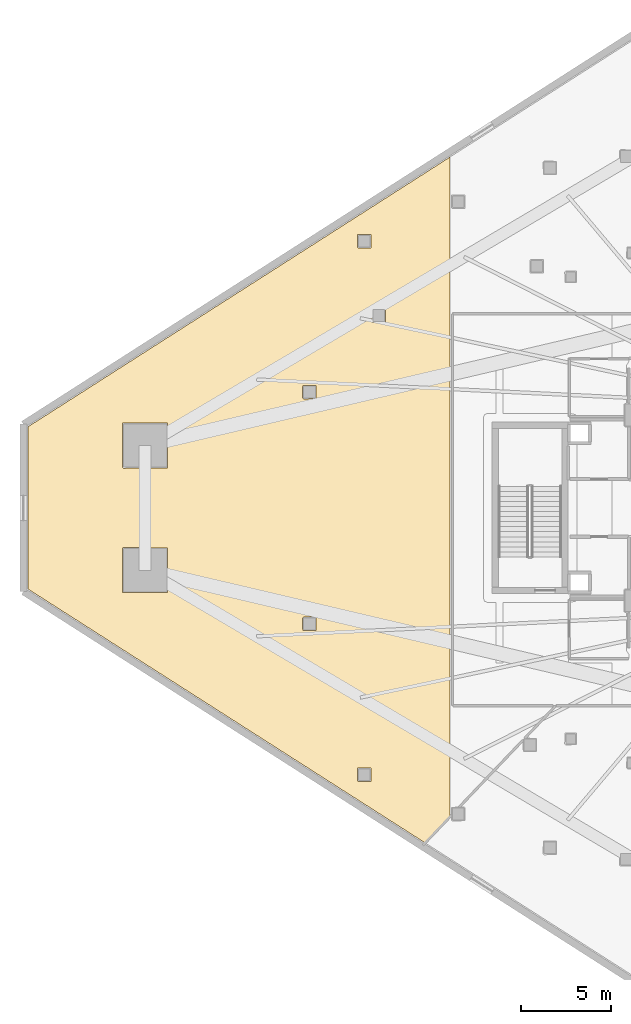
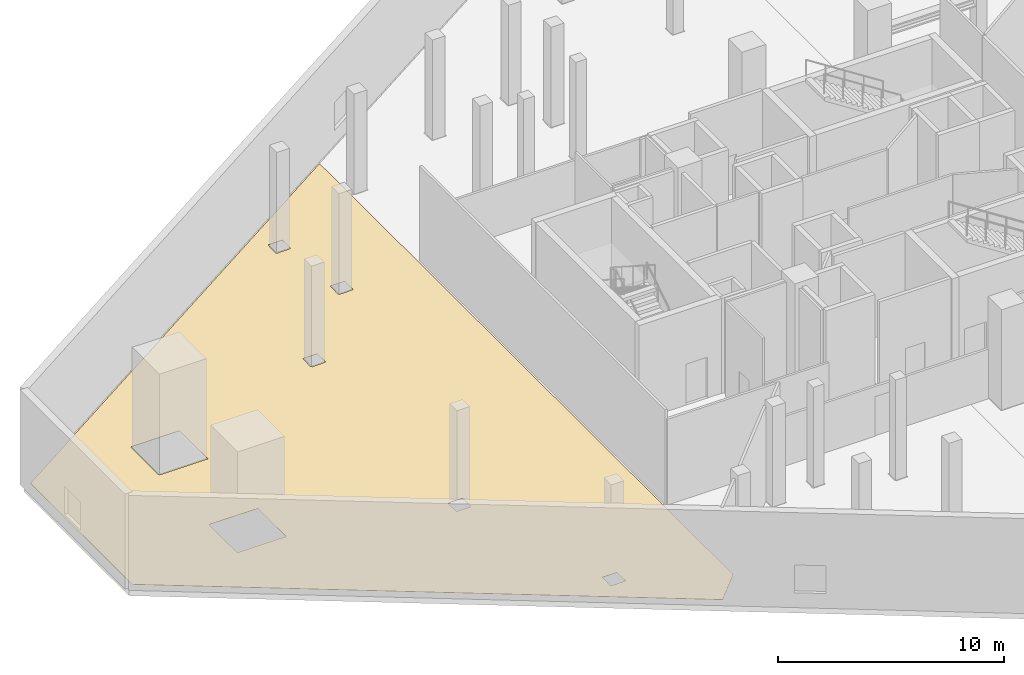
# One storey, part 32 of 36: 1 covering.
"""IFC4 building model written with IfcOpenShell, lengths in metres."""

from ifc_helpers import new_model, si_unit, direction, frame, origin, place, context, subcontext, project, spatial, polyline, outline, extrude, material, layer, layer_set, type_object, element, save


model = new_model("IFC4")

# Units and contexts
model_context = context("Model", 3, precision=1e-05, world=origin(), true_north=direction((0.0, 1.0)))
body_context = subcontext(model_context, "Body", "Model", "MODEL_VIEW")
ifc_project = project(units=[si_unit("LENGTHUNIT", "METRE"), si_unit("AREAUNIT", "SQUARE_METRE"), si_unit("VOLUMEUNIT", "CUBIC_METRE"), si_unit("PLANEANGLEUNIT", "RADIAN"), si_unit("MASSUNIT", "GRAM", prefix="KILO")], contexts=[model_context])

# Site, building, storey
site_placement = place(None, origin())
site = spatial("IfcSite", under=ifc_project, at=site_placement, CompositionType="ELEMENT")
building_placement = place(site_placement, origin())
building = spatial("IfcBuilding", under=site, at=building_placement, Name="Qorvath Tower", CompositionType="ELEMENT")
storey_placement = place(building_placement, frame((0.0, 0.0, 27.0)))
storey = spatial("IfcBuildingStorey", under=building, at=storey_placement, Name="L05", CompositionType="ELEMENT", Elevation=27.0)

# Covering
ifc_material = material(Name="Low-VOC modular carpet tile", Category="textile")
ifc_layer = layer(ifc_material, 0.014892578125)
ifc_layer_set = layer_set([ifc_layer], Name="COV-FLOOR-CPT")
covering_type = type_object("IfcCoveringType", Name="COV-FLOOR-CPT", PredefinedType="FLOORING", material=ifc_layer_set)
covering_placement = place(storey_placement, origin())
element("IfcCovering", 1, at=covering_placement, inside=storey, type_object=covering_type, Name="L05 Floor Finish 010", PredefinedType="FLOORING", context=body_context, shape_type="SweptSolid", body=[
    extrude(outline(polyline([(-40.801513671875, -17.11181640625), (-40.801513671875, 19.428955078125), (-64.164306640625, 4.4970703125), (-64.164306640625, -4.4970703125), (-42.17333984375, -18.55224609375), (-40.801513671875, -17.11181640625)]), holes=[polyline([(-45.121337890625, 10.327392578125), (-45.103759765625, 11.019775390625), (-44.368896484375, 11.019775390625), (-44.368896484375, 10.284912109375), (-45.061279296875, 10.267333984375), (-45.121337890625, 10.327392578125)]), polyline([(-45.92138671875, -15.099609375), (-45.90380859375, -14.4072265625), (-45.1689453125, -14.4072265625), (-45.1689453125, -15.14208984375), (-45.861328125, -15.15966796875), (-45.92138671875, -15.099609375)]), polyline([(-45.92138671875, 14.44970703125), (-45.90380859375, 15.14208984375), (-45.1689453125, 15.14208984375), (-45.1689453125, 14.4072265625), (-45.861328125, 14.3896484375), (-45.92138671875, 14.44970703125)]), polyline([(-48.96337890625, -6.099609375), (-48.9033203125, -6.03955078125), (-48.2109375, -6.05712890625), (-48.2109375, -6.7919921875), (-48.94580078125, -6.7919921875), (-48.96337890625, -6.099609375)]), polyline([(-48.96337890625, 6.099609375), (-48.94580078125, 6.7919921875), (-48.2109375, 6.7919921875), (-48.2109375, 6.05712890625), (-48.9033203125, 6.03955078125), (-48.96337890625, 6.099609375)]), polyline([(-58.93994140625, -2.256103515625), (-58.8798828125, -2.196044921875), (-56.4375, -2.213623046875), (-56.4375, -4.698486328125), (-58.92236328125, -4.698486328125), (-58.93994140625, -2.256103515625)]), polyline([(-58.93994140625, 2.256103515625), (-58.92236328125, 4.698486328125), (-56.4375, 4.698486328125), (-56.4375, 2.213623046875), (-58.8798828125, 2.196044921875), (-58.93994140625, 2.256103515625)])]), origin(), (0.0, 0.0, 1.0), 0.014892578125),
])

save(model, "model.ifc")
